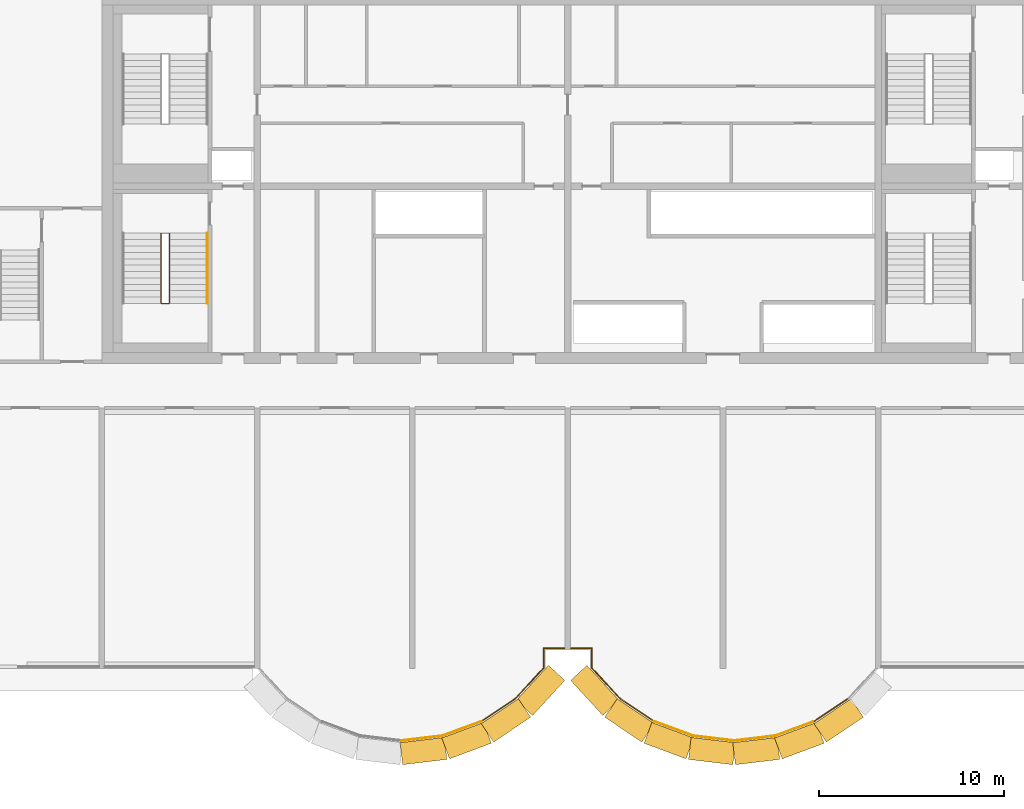
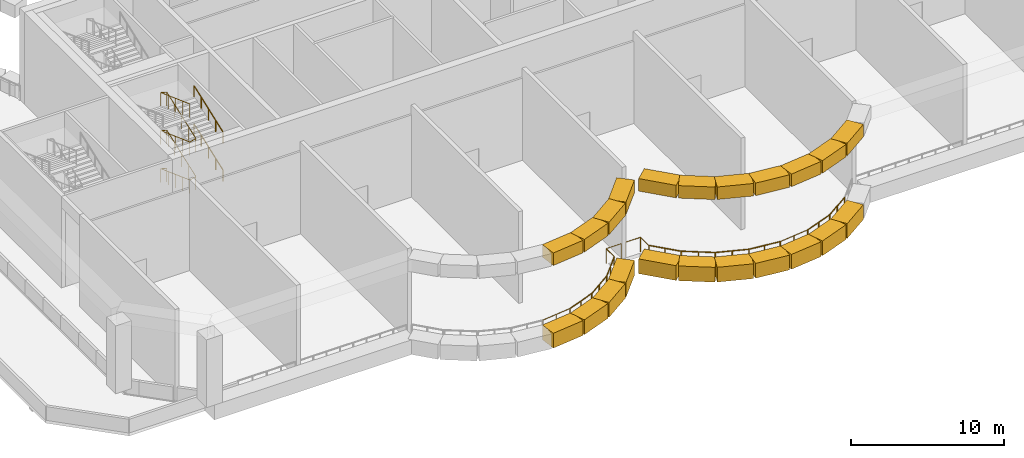
# One storey, part 8 of 11: 22 coverings, 16 railings.
"""IFC4 building model written with IfcOpenShell, lengths in metres."""

from ifc_helpers import new_model, si_unit, direction, frame, origin, origin_2d, place, context, subcontext, project, spatial, rectangle, circle, extrude, source, transform, mapped, material, type_object, element, save


model = new_model("IFC4")

# Units and contexts
model_context = context("Model", 3, precision=1e-05, world=origin(), true_north=direction((0.0, 1.0)))
body_context = subcontext(model_context, "Body", "Model", "MODEL_VIEW")
ifc_project = project(units=[si_unit("LENGTHUNIT", "METRE"), si_unit("AREAUNIT", "SQUARE_METRE"), si_unit("VOLUMEUNIT", "CUBIC_METRE"), si_unit("PLANEANGLEUNIT", "RADIAN"), si_unit("MASSUNIT", "GRAM", prefix="KILO")], contexts=[model_context])

# Site, building, storey
site_placement = place(None, origin())
site = spatial("IfcSite", under=ifc_project, at=site_placement, CompositionType="ELEMENT")
building_placement = place(site_placement, origin())
building = spatial("IfcBuilding", under=site, at=building_placement, Name="Vanashikhar Sky Hotel", CompositionType="ELEMENT")
storey_placement = place(building_placement, frame((0.0, 0.0, 206.39990234375)))
storey = spatial("IfcBuildingStorey", under=building, at=storey_placement, Name="L50", CompositionType="ELEMENT", Elevation=206.39990234375)

# Railings
ifc_material_1 = material(Name="Stainless steel 316", Category="steel")
railing_type_1 = type_object("IfcRailingType", Name="Open edge guard 1200", PredefinedType="GUARDRAIL", material=ifc_material_1)
shared_shape_1 = source(origin(), body_context, "Body", "SweptSolid", [
    extrude(circle(Radius=0.02392578125, at=origin_2d()), frame((0.0, 0.0, 1.17578125), z_axis=(-1.0, 0.0, 0.0), x_axis=(0.0, -1.0, 0.0)), (0.0, 0.0, 1.0), 1.1298828125),
    extrude(circle(Radius=0.02392578125, at=origin_2d()), frame((-1.1298828125, 0.0, 1.17578125), z_axis=(0.0, -1.0, 0.0), x_axis=(1.0, 0.0, 0.0)), (0.0, 0.0, 1.0), 1.061279296875),
    extrude(circle(Radius=0.02392578125, at=origin_2d()), frame((-1.1298828125, -1.061279296875, 1.17578125), z_axis=(-0.678280102733, -0.734803444627, 0.0), x_axis=(0.734803444627, -0.678280102733, 0.0)), (0.0, 0.0, 1.0), 0.03466796875),
    extrude(circle(Radius=0.02099609375, at=origin_2d()), origin(), (0.0, 0.0, 1.0), 1.15185546875),
    extrude(circle(Radius=0.02099609375, at=origin_2d()), frame((-1.1298828125, 0.0, 0.0)), (0.0, 0.0, 1.0), 1.15185546875),
    extrude(circle(Radius=0.02099609375, at=origin_2d()), frame((-1.1298828125, -1.061279296875, 0.0)), (0.0, 0.0, 1.0), 1.15185546875),
    extrude(circle(Radius=0.02099609375, at=origin_2d()), frame((-1.1533203125, -1.086669921875, 0.0)), (0.0, 0.0, 1.0), 1.15185546875),
])
railing_1_placement = place(storey_placement, frame((50.22998046875, 6.60009765625, 0.0)))
element("IfcRailing", 1, at=railing_1_placement, inside=storey, type_object=railing_type_1, Name="Open edge guard", PredefinedType="GUARDRAIL", context=body_context, shape_type="MappedRepresentation", body=[
    mapped(shared_shape_1, transform((0.0, 0.0, 0.0), scale=1.0)),
])
shared_shape_2 = source(origin(), body_context, "Body", "SweptSolid", [
    extrude(circle(Radius=0.02392578125, at=origin_2d()), frame((0.0, 0.0, 1.17578125), z_axis=(-0.675355108837, -0.737492696213, 0.0), x_axis=(0.737492696213, -0.675355108837, 0.0)), (0.0, 0.0, 1.0), 2.1845703125),
    extrude(circle(Radius=0.02392578125, at=origin_2d()), frame((-1.475341796875, -1.611083984375, 1.17578125), z_axis=(-0.828364750125, -0.560189111595, 0.0), x_axis=(0.560189111595, -0.828364750125, 0.0)), (0.0, 0.0, 1.0), 0.041015625),
    extrude(circle(Radius=0.02099609375, at=origin_2d()), origin(), (0.0, 0.0, 1.0), 1.15185546875),
    extrude(circle(Radius=0.02099609375, at=origin_2d()), frame((-0.73779296875, -0.8056640625, 0.0)), (0.0, 0.0, 1.0), 1.15185546875),
    extrude(circle(Radius=0.02099609375, at=origin_2d()), frame((-1.475341796875, -1.611083984375, 0.0)), (0.0, 0.0, 1.0), 1.15185546875),
    extrude(circle(Radius=0.02099609375, at=origin_2d()), frame((-1.50927734375, -1.634033203125, 0.0)), (0.0, 0.0, 1.0), 1.15185546875),
])
railing_2_placement = place(storey_placement, frame((49.07666015625, 5.513427734375, 0.0)))
element("IfcRailing", 2, at=railing_2_placement, inside=storey, type_object=railing_type_1, Name="Open edge guard", PredefinedType="GUARDRAIL", context=body_context, shape_type="MappedRepresentation", body=[
    mapped(shared_shape_2, transform((0.0, 0.0, 0.0), scale=1.0)),
])
shared_shape_3 = source(origin(), body_context, "Body", "SweptSolid", [
    extrude(circle(Radius=0.02392578125, at=origin_2d()), frame((0.0, 0.0, 1.17578125), z_axis=(-0.829641962759, -0.55829581194, 0.0), x_axis=(0.55829581194, -0.829641962759, 0.0)), (0.0, 0.0, 1.0), 2.2060546875),
    extrude(circle(Radius=0.02392578125, at=origin_2d()), frame((-1.830322265625, -1.231689453125, 1.17578125), z_axis=(-0.936841514727, -0.349754165498, 0.0), x_axis=(0.349754165498, -0.936841514727, 0.0)), (0.0, 0.0, 1.0), 0.01953125),
    extrude(circle(Radius=0.02099609375, at=origin_2d()), origin(), (0.0, 0.0, 1.0), 1.15185546875),
    extrude(circle(Radius=0.02099609375, at=origin_2d()), frame((-0.9150390625, -0.61572265625, 0.0)), (0.0, 0.0, 1.0), 1.15185546875),
    extrude(circle(Radius=0.02099609375, at=origin_2d()), frame((-1.830322265625, -1.231689453125, 0.0)), (0.0, 0.0, 1.0), 1.15185546875),
    extrude(circle(Radius=0.02099609375, at=origin_2d()), frame((-1.8486328125, -1.238525390625, 0.0)), (0.0, 0.0, 1.0), 1.15185546875),
])
railing_3_placement = place(storey_placement, frame((47.5673828125, 3.87939453125, 0.0)))
element("IfcRailing", 3, at=railing_3_placement, inside=storey, type_object=railing_type_1, Name="Open edge guard", PredefinedType="GUARDRAIL", context=body_context, shape_type="MappedRepresentation", body=[
    mapped(shared_shape_3, transform((0.0, 0.0, 0.0), scale=1.0)),
])
shared_shape_4 = source(origin(), body_context, "Body", "SweptSolid", [
    extrude(circle(Radius=0.02392578125, at=origin_2d()), frame((0.0, 0.0, 1.17578125), z_axis=(-0.937554102092, -0.347839482594, 0.0), x_axis=(0.347839482594, -0.937554102092, 0.0)), (0.0, 0.0, 1.0), 2.2255859375),
    extrude(circle(Radius=0.02099609375, at=origin_2d()), origin(), (0.0, 0.0, 1.0), 1.15185546875),
    extrude(circle(Radius=0.02099609375, at=origin_2d()), frame((-1.04345703125, -0.38720703125, 0.0)), (0.0, 0.0, 1.0), 1.15185546875),
    extrude(circle(Radius=0.02099609375, at=origin_2d()), frame((-2.086669921875, -0.774169921875, 0.0)), (0.0, 0.0, 1.0), 1.15185546875),
])
railing_4_placement = place(storey_placement, frame((45.71875, 2.640869140625, 0.0)))
element("IfcRailing", 4, at=railing_4_placement, inside=storey, type_object=railing_type_1, Name="Open edge guard", PredefinedType="GUARDRAIL", context=body_context, shape_type="MappedRepresentation", body=[
    mapped(shared_shape_4, transform((0.0, 0.0, 0.0), scale=1.0)),
])
shared_shape_5 = source(origin(), body_context, "Body", "SweptSolid", [
    extrude(circle(Radius=0.02392578125, at=origin_2d()), frame((0.0, 0.0, 1.17578125), z_axis=(-0.919145030018, -0.393919298579, 0.0), x_axis=(0.393919298579, -0.919145030018, 0.0)), (0.0, 0.0, 1.0), 0.001953125),
    extrude(circle(Radius=0.02392578125, at=origin_2d()), frame((-0.001708984375, -0.000732421875, 1.17578125), z_axis=(-0.993009738611, -0.118032449028, 0.0), x_axis=(0.118032449028, -0.993009738611, 0.0)), (0.0, 0.0, 1.0), 2.2236328125),
    extrude(circle(Radius=0.02099609375, at=origin_2d()), origin(), (0.0, 0.0, 1.0), 1.15185546875),
    extrude(circle(Radius=0.02099609375, at=origin_2d()), frame((-0.001708984375, -0.000732421875, 0.0)), (0.0, 0.0, 1.0), 1.15185546875),
    extrude(circle(Radius=0.02099609375, at=origin_2d()), frame((-1.105712890625, -0.1318359375, 0.0)), (0.0, 0.0, 1.0), 1.15185546875),
    extrude(circle(Radius=0.02099609375, at=origin_2d()), frame((-2.209716796875, -0.26318359375, 0.0)), (0.0, 0.0, 1.0), 1.15185546875),
])
railing_5_placement = place(storey_placement, frame((43.632080078125, 1.86669921875, 0.0)))
element("IfcRailing", 5, at=railing_5_placement, inside=storey, type_object=railing_type_1, Name="Open edge guard", PredefinedType="GUARDRAIL", context=body_context, shape_type="MappedRepresentation", body=[
    mapped(shared_shape_5, transform((0.0, 0.0, 0.0), scale=1.0)),
])
shared_shape_6 = source(origin(), body_context, "Body", "SweptSolid", [
    extrude(circle(Radius=0.02392578125, at=origin_2d()), frame((0.0, 0.0, 1.17578125), z_axis=(-0.829591772708, -0.558370388412, 0.0), x_axis=(0.558370388412, -0.829591772708, 0.0)), (0.0, 0.0, 1.0), 2.161376953125),
    extrude(circle(Radius=0.02392578125, at=origin_2d()), frame((-1.79296875, -1.206787109375, 1.17578125), z_axis=(-0.93710644919, -0.349043697674, 0.0), x_axis=(0.349043697674, -0.93710644919, 0.0)), (0.0, 0.0, 1.0), 0.064453125),
    extrude(circle(Radius=0.02099609375, at=origin_2d()), origin(), (0.0, 0.0, 1.0), 1.15185546875),
    extrude(circle(Radius=0.02099609375, at=origin_2d()), frame((-0.896484375, -0.603515625, 0.0)), (0.0, 0.0, 1.0), 1.15185546875),
    extrude(circle(Radius=0.02099609375, at=origin_2d()), frame((-1.79296875, -1.206787109375, 0.0)), (0.0, 0.0, 1.0), 1.15185546875),
    extrude(circle(Radius=0.02099609375, at=origin_2d()), frame((-1.853271484375, -1.229248046875, 0.0)), (0.0, 0.0, 1.0), 1.15185546875),
])
railing_6_placement = place(storey_placement, frame((65.530029296875, 3.8544921875, 0.0)))
element("IfcRailing", 6, at=railing_6_placement, inside=storey, type_object=railing_type_1, Name="Open edge guard", PredefinedType="GUARDRAIL", context=body_context, shape_type="MappedRepresentation", body=[
    mapped(shared_shape_6, transform((0.0, 0.0, 0.0), scale=1.0)),
])
shared_shape_7 = source(origin(), body_context, "Body", "SweptSolid", [
    extrude(circle(Radius=0.02392578125, at=origin_2d()), frame((0.0, 0.0, 1.17578125), z_axis=(-0.937546214911, -0.347860740679, 0.0), x_axis=(0.347860740679, -0.937546214911, 0.0)), (0.0, 0.0, 1.0), 2.1826171875),
    extrude(circle(Radius=0.02392578125, at=origin_2d()), frame((-2.04638671875, -0.75927734375, 1.17578125), z_axis=(-0.99279561301, -0.119820160191, 0.0), x_axis=(0.119820160191, -0.99279561301, 0.0)), (0.0, 0.0, 1.0), 0.042724609375),
    extrude(circle(Radius=0.02099609375, at=origin_2d()), origin(), (0.0, 0.0, 1.0), 1.15185546875),
    extrude(circle(Radius=0.02099609375, at=origin_2d()), frame((-1.023193359375, -0.379638671875, 0.0)), (0.0, 0.0, 1.0), 1.15185546875),
    extrude(circle(Radius=0.02099609375, at=origin_2d()), frame((-2.04638671875, -0.75927734375, 0.0)), (0.0, 0.0, 1.0), 1.15185546875),
    extrude(circle(Radius=0.02099609375, at=origin_2d()), frame((-2.0888671875, -0.764404296875, 0.0)), (0.0, 0.0, 1.0), 1.15185546875),
])
railing_7_placement = place(storey_placement, frame((63.6767578125, 2.625244140625, 0.0)))
element("IfcRailing", 7, at=railing_7_placement, inside=storey, type_object=railing_type_1, Name="Open edge guard", PredefinedType="GUARDRAIL", context=body_context, shape_type="MappedRepresentation", body=[
    mapped(shared_shape_7, transform((0.0, 0.0, 0.0), scale=1.0)),
])
shared_shape_8 = source(origin(), body_context, "Body", "SweptSolid", [
    extrude(circle(Radius=0.02392578125, at=origin_2d()), frame((0.0, 0.0, 1.17578125), z_axis=(-0.993000036867, -0.11811404143, 0.0), x_axis=(0.11811404143, -0.993000036867, 0.0)), (0.0, 0.0, 1.0), 2.203369140625),
    extrude(circle(Radius=0.02392578125, at=origin_2d()), frame((-2.18798828125, -0.26025390625, 1.17578125), z_axis=(-0.991417173479, 0.130736330569, 0.0), x_axis=(-0.130736330569, -0.991417173479, 0.0)), (0.0, 0.0, 1.0), 0.0224609375),
    extrude(circle(Radius=0.02099609375, at=origin_2d()), origin(), (0.0, 0.0, 1.0), 1.15185546875),
    extrude(circle(Radius=0.02099609375, at=origin_2d()), frame((-1.093994140625, -0.130126953125, 0.0)), (0.0, 0.0, 1.0), 1.15185546875),
    extrude(circle(Radius=0.02099609375, at=origin_2d()), frame((-2.18798828125, -0.26025390625, 0.0)), (0.0, 0.0, 1.0), 1.15185546875),
    extrude(circle(Radius=0.02099609375, at=origin_2d()), frame((-2.210205078125, -0.25732421875, 0.0)), (0.0, 0.0, 1.0), 1.15185546875),
])
railing_8_placement = place(storey_placement, frame((61.587890625, 1.86083984375, 0.0)))
element("IfcRailing", 8, at=railing_8_placement, inside=storey, type_object=railing_type_1, Name="Open edge guard", PredefinedType="GUARDRAIL", context=body_context, shape_type="MappedRepresentation", body=[
    mapped(shared_shape_8, transform((0.0, 0.0, 0.0), scale=1.0)),
])
shared_shape_9 = source(origin(), body_context, "Body", "SweptSolid", [
    extrude(circle(Radius=0.02392578125, at=origin_2d()), frame((0.0, 0.0, 1.17578125), z_axis=(-0.993009738611, 0.118032449028, 0.0), x_axis=(-0.118032449028, -0.993009738611, 0.0)), (0.0, 0.0, 1.0), 2.2236328125),
    extrude(circle(Radius=0.02392578125, at=origin_2d()), frame((-2.2080078125, 0.262451171875, 1.17578125), z_axis=(-0.936329177569, 0.351123441588, 0.0), x_axis=(-0.351123441588, -0.936329177569, 0.0)), (0.0, 0.0, 1.0), 0.002197265625),
    extrude(circle(Radius=0.02099609375, at=origin_2d()), origin(), (0.0, 0.0, 1.0), 1.15185546875),
    extrude(circle(Radius=0.02099609375, at=origin_2d()), frame((-1.10400390625, 0.13134765625, 0.0)), (0.0, 0.0, 1.0), 1.15185546875),
    extrude(circle(Radius=0.02099609375, at=origin_2d()), frame((-2.2080078125, 0.262451171875, 0.0)), (0.0, 0.0, 1.0), 1.15185546875),
    extrude(circle(Radius=0.02099609375, at=origin_2d()), frame((-2.2099609375, 0.26318359375, 0.0)), (0.0, 0.0, 1.0), 1.15185546875),
])
railing_9_placement = place(storey_placement, frame((59.377685546875, 1.603515625, 0.0)))
element("IfcRailing", 9, at=railing_9_placement, inside=storey, type_object=railing_type_1, Name="Open edge guard", PredefinedType="GUARDRAIL", context=body_context, shape_type="MappedRepresentation", body=[
    mapped(shared_shape_9, transform((0.0, 0.0, 0.0), scale=1.0)),
])
shared_shape_10 = source(origin(), body_context, "Body", "SweptSolid", [
    extrude(circle(Radius=0.02392578125, at=origin_2d()), frame((0.0, 0.0, 1.17578125), z_axis=(-0.937540827921, 0.347875259225, 0.0), x_axis=(-0.347875259225, -0.937540827921, 0.0)), (0.0, 0.0, 1.0), 2.225341796875),
    extrude(circle(Radius=0.02099609375, at=origin_2d()), origin(), (0.0, 0.0, 1.0), 1.15185546875),
    extrude(circle(Radius=0.02099609375, at=origin_2d()), frame((-1.043212890625, 0.38720703125, 0.0)), (0.0, 0.0, 1.0), 1.15185546875),
    extrude(circle(Radius=0.02099609375, at=origin_2d()), frame((-2.08642578125, 0.774169921875, 0.0)), (0.0, 0.0, 1.0), 1.15185546875),
])
railing_10_placement = place(storey_placement, frame((57.167724609375, 1.86669921875, 0.0)))
element("IfcRailing", 10, at=railing_10_placement, inside=storey, type_object=railing_type_1, Name="Open edge guard", PredefinedType="GUARDRAIL", context=body_context, shape_type="MappedRepresentation", body=[
    mapped(shared_shape_10, transform((0.0, 0.0, 0.0), scale=1.0)),
])
shared_shape_11 = source(origin(), body_context, "Body", "SweptSolid", [
    extrude(circle(Radius=0.02392578125, at=origin_2d()), frame((0.0, 0.0, 1.17578125), z_axis=(-0.936841514727, 0.349754165498, 0.0), x_axis=(-0.349754165498, -0.936841514727, 0.0)), (0.0, 0.0, 1.0), 0.01953125),
    extrude(circle(Radius=0.02392578125, at=origin_2d()), frame((-0.018310546875, 0.0068359375, 1.17578125), z_axis=(-0.829641962759, 0.55829581194, 0.0), x_axis=(-0.55829581194, -0.829641962759, 0.0)), (0.0, 0.0, 1.0), 2.2060546875),
    extrude(circle(Radius=0.02099609375, at=origin_2d()), origin(), (0.0, 0.0, 1.0), 1.15185546875),
    extrude(circle(Radius=0.02099609375, at=origin_2d()), frame((-0.018310546875, 0.0068359375, 0.0)), (0.0, 0.0, 1.0), 1.15185546875),
    extrude(circle(Radius=0.02099609375, at=origin_2d()), frame((-0.93359375, 0.62255859375, 0.0)), (0.0, 0.0, 1.0), 1.15185546875),
    extrude(circle(Radius=0.02099609375, at=origin_2d()), frame((-1.8486328125, 1.238525390625, 0.0)), (0.0, 0.0, 1.0), 1.15185546875),
])
railing_11_placement = place(storey_placement, frame((55.081298828125, 2.640869140625, 0.0)))
element("IfcRailing", 11, at=railing_11_placement, inside=storey, type_object=railing_type_1, Name="Open edge guard", PredefinedType="GUARDRAIL", context=body_context, shape_type="MappedRepresentation", body=[
    mapped(shared_shape_11, transform((0.0, 0.0, 0.0), scale=1.0)),
])
shared_shape_12 = source(origin(), body_context, "Body", "SweptSolid", [
    extrude(circle(Radius=0.02392578125, at=origin_2d()), frame((0.0, 0.0, 1.17578125), z_axis=(-0.828364750125, 0.560189111595, 0.0), x_axis=(-0.560189111595, -0.828364750125, 0.0)), (0.0, 0.0, 1.0), 0.041015625),
    extrude(circle(Radius=0.02392578125, at=origin_2d()), frame((-0.033935546875, 0.02294921875, 1.17578125), z_axis=(-0.675355108837, 0.737492696213, 0.0), x_axis=(-0.737492696213, -0.675355108837, 0.0)), (0.0, 0.0, 1.0), 2.1845703125),
    extrude(circle(Radius=0.02099609375, at=origin_2d()), origin(), (0.0, 0.0, 1.0), 1.15185546875),
    extrude(circle(Radius=0.02099609375, at=origin_2d()), frame((-0.033935546875, 0.02294921875, 0.0)), (0.0, 0.0, 1.0), 1.15185546875),
    extrude(circle(Radius=0.02099609375, at=origin_2d()), frame((-0.771484375, 0.82861328125, 0.0)), (0.0, 0.0, 1.0), 1.15185546875),
    extrude(circle(Radius=0.02099609375, at=origin_2d()), frame((-1.50927734375, 1.634033203125, 0.0)), (0.0, 0.0, 1.0), 1.15185546875),
])
railing_12_placement = place(storey_placement, frame((53.232666015625, 3.87939453125, 0.0)))
element("IfcRailing", 12, at=railing_12_placement, inside=storey, type_object=railing_type_1, Name="Open edge guard", PredefinedType="GUARDRAIL", context=body_context, shape_type="MappedRepresentation", body=[
    mapped(shared_shape_12, transform((0.0, 0.0, 0.0), scale=1.0)),
])
shared_shape_13 = source(origin(), body_context, "Body", "SweptSolid", [
    extrude(circle(Radius=0.02392578125, at=origin_2d()), frame((0.0, 0.0, 1.17578125), z_axis=(-0.678280102733, 0.734803444627, 0.0), x_axis=(-0.734803444627, -0.678280102733, 0.0)), (0.0, 0.0, 1.0), 0.03466796875),
    extrude(circle(Radius=0.02392578125, at=origin_2d()), frame((-0.0234375, 0.025390625, 1.17578125), z_axis=(0.0, 1.0, 0.0), x_axis=(-1.0, 0.0, 0.0)), (0.0, 0.0, 1.0), 1.061279296875),
    extrude(circle(Radius=0.02392578125, at=origin_2d()), frame((-0.0234375, 1.086669921875, 1.17578125), z_axis=(-1.0, 0.0, 0.0), x_axis=(0.0, -1.0, 0.0)), (0.0, 0.0, 1.0), 1.1298828125),
    extrude(circle(Radius=0.02099609375, at=origin_2d()), origin(), (0.0, 0.0, 1.0), 1.15185546875),
    extrude(circle(Radius=0.02099609375, at=origin_2d()), frame((-0.0234375, 0.025390625, 0.0)), (0.0, 0.0, 1.0), 1.15185546875),
    extrude(circle(Radius=0.02099609375, at=origin_2d()), frame((-0.0234375, 1.086669921875, 0.0)), (0.0, 0.0, 1.0), 1.15185546875),
    extrude(circle(Radius=0.02099609375, at=origin_2d()), frame((-1.1533203125, 1.086669921875, 0.0)), (0.0, 0.0, 1.0), 1.15185546875),
])
railing_13_placement = place(storey_placement, frame((51.723388671875, 5.513427734375, 0.0)))
element("IfcRailing", 13, at=railing_13_placement, inside=storey, type_object=railing_type_1, Name="Open edge guard", PredefinedType="GUARDRAIL", context=body_context, shape_type="MappedRepresentation", body=[
    mapped(shared_shape_13, transform((0.0, 0.0, 0.0), scale=1.0)),
])

# Coverings
ifc_material_2 = material(Name="Concrete M60 dark", Category="concrete")
covering_type = type_object("IfcCoveringType", Name="Wind floor portal frame", PredefinedType="CLADDING", material=ifc_material_2)
shared_shape_14 = source(origin(), body_context, "Body", "SweptSolid", [
    extrude(rectangle(XDim=2.413818359375, YDim=1.199951171875, at=origin_2d()), origin(), (0.0, 0.0, 1.0), 1.0),
])
for number, where, z_axis, x_axis, name in (
    (14, (44.92724609375, 1.6005859375, 6.320068359375), (0.0, 0.0, 1.0), (0.937531182424, 0.347901253208, 0.0), "Portal frame head"),
    (15, (47.06005859375, 2.694091796875, 6.320068359375), (0.0, 0.0, 1.0), (0.829603213612, 0.558353389857, 0.0), "Portal frame head"),
    (16, (53.739990234375, 2.694091796875, 6.320068359375), (0.0, 0.0, 1.0), (0.829603213612, -0.558353389857, 0.0), "Portal frame head"),
    (17, (55.872802734375, 1.6005859375, 6.320068359375), (0.0, 0.0, 1.0), (0.937531182424, -0.347901253208, 0.0), "Portal frame head"),
    (18, (62.92724609375, 1.6005859375, 6.320068359375), (0.0, 0.0, 1.0), (0.937531182424, 0.347901253208, 0.0), "Portal frame head"),
    (19, (65.06005859375, 2.694091796875, 6.320068359375), (0.0, 0.0, 1.0), (0.829603213612, 0.558353389857, 0.0), "Portal frame head"),
):
    element("IfcCovering", number, at=place(storey_placement, frame(where, z_axis=z_axis, x_axis=x_axis)), inside=storey, type_object=covering_type, Name=name, PredefinedType="CLADDING", context=body_context, shape_type="MappedRepresentation", body=[
        mapped(shared_shape_14, transform((0.0, 0.0, 0.0), scale=1.0)),
    ])
shared_shape_15 = source(origin(), body_context, "Body", "SweptSolid", [
    extrude(rectangle(XDim=2.413818359375, YDim=1.199951171875, at=origin_2d()), origin(), (0.0, 0.0, 1.0), 1.179931640625),
])
for number, where, z_axis, x_axis, name in (
    (20, (44.92724609375, 1.6005859375, -0.27978515625), (0.0, 0.0, 1.0), (0.937531182424, 0.347901253208, 0.0), "Portal frame sill"),
    (21, (47.06005859375, 2.694091796875, -0.27978515625), (0.0, 0.0, 1.0), (0.829603213612, 0.558353389857, 0.0), "Portal frame sill"),
    (22, (53.739990234375, 2.694091796875, -0.27978515625), (0.0, 0.0, 1.0), (0.829603213612, -0.558353389857, 0.0), "Portal frame sill"),
    (23, (55.872802734375, 1.6005859375, -0.27978515625), (0.0, 0.0, 1.0), (0.937531182424, -0.347901253208, 0.0), "Portal frame sill"),
    (24, (62.92724609375, 1.6005859375, -0.27978515625), (0.0, 0.0, 1.0), (0.937531182424, 0.347901253208, 0.0), "Portal frame sill"),
    (25, (65.06005859375, 2.694091796875, -0.27978515625), (0.0, 0.0, 1.0), (0.829603213612, 0.558353389857, 0.0), "Portal frame sill"),
):
    element("IfcCovering", number, at=place(storey_placement, frame(where, z_axis=z_axis, x_axis=x_axis)), inside=storey, type_object=covering_type, Name=name, PredefinedType="CLADDING", context=body_context, shape_type="MappedRepresentation", body=[
        mapped(shared_shape_15, transform((0.0, 0.0, 0.0), scale=1.0)),
    ])
shared_shape_16 = source(origin(), body_context, "Body", "SweptSolid", [
    extrude(rectangle(XDim=2.41259765625, YDim=1.199951171875, at=origin_2d()), origin(), (0.0, 0.0, 1.0), 1.0),
])
for number, where, z_axis, x_axis, name in (
    (26, (42.597900390625, 1.0380859375, 6.320068359375), (0.0, 0.0, 1.0), (0.993008838731, 0.118040019495, 0.0), "Portal frame head"),
    (27, (58.2021484375, 1.0380859375, 6.320068359375), (0.0, 0.0, 1.0), (0.993008838731, -0.118040019495, 0.0), "Portal frame head"),
    (28, (60.597900390625, 1.0380859375, 6.320068359375), (0.0, 0.0, 1.0), (0.993008838731, 0.118040019495, 0.0), "Portal frame head"),
):
    element("IfcCovering", number, at=place(storey_placement, frame(where, z_axis=z_axis, x_axis=x_axis)), inside=storey, type_object=covering_type, Name=name, PredefinedType="CLADDING", context=body_context, shape_type="MappedRepresentation", body=[
        mapped(shared_shape_16, transform((0.0, 0.0, 0.0), scale=1.0)),
    ])
shared_shape_17 = source(origin(), body_context, "Body", "SweptSolid", [
    extrude(rectangle(XDim=2.41259765625, YDim=1.199951171875, at=origin_2d()), origin(), (0.0, 0.0, 1.0), 1.179931640625),
])
for number, where, z_axis, x_axis, name in (
    (29, (42.597900390625, 1.0380859375, -0.27978515625), (0.0, 0.0, 1.0), (0.993008838731, 0.118040019495, 0.0), "Portal frame sill"),
    (30, (58.2021484375, 1.0380859375, -0.27978515625), (0.0, 0.0, 1.0), (0.993008838731, -0.118040019495, 0.0), "Portal frame sill"),
    (31, (60.597900390625, 1.0380859375, -0.27978515625), (0.0, 0.0, 1.0), (0.993008838731, 0.118040019495, 0.0), "Portal frame sill"),
):
    element("IfcCovering", number, at=place(storey_placement, frame(where, z_axis=z_axis, x_axis=x_axis)), inside=storey, type_object=covering_type, Name=name, PredefinedType="CLADDING", context=body_context, shape_type="MappedRepresentation", body=[
        mapped(shared_shape_17, transform((0.0, 0.0, 0.0), scale=1.0)),
    ])
shared_shape_18 = source(origin(), body_context, "Body", "SweptSolid", [
    extrude(rectangle(XDim=2.574462890625, YDim=1.199951171875, at=origin_2d()), origin(), (0.0, 0.0, 1.0), 1.0),
])
for number, where, z_axis, x_axis, name in (
    (32, (48.9306640625, 4.3173828125, 6.320068359375), (0.0, 0.0, 1.0), (0.67534568005, 0.737501330465, 0.0), "Portal frame head"),
    (33, (51.869384765625, 4.3173828125, 6.320068359375), (0.0, 0.0, 1.0), (0.67534568005, -0.737501330465, 0.0), "Portal frame head"),
):
    element("IfcCovering", number, at=place(storey_placement, frame(where, z_axis=z_axis, x_axis=x_axis)), inside=storey, type_object=covering_type, Name=name, PredefinedType="CLADDING", context=body_context, shape_type="MappedRepresentation", body=[
        mapped(shared_shape_18, transform((0.0, 0.0, 0.0), scale=1.0)),
    ])
shared_shape_19 = source(origin(), body_context, "Body", "SweptSolid", [
    extrude(rectangle(XDim=2.574462890625, YDim=1.199951171875, at=origin_2d()), origin(), (0.0, 0.0, 1.0), 1.179931640625),
])
for number, where, z_axis, x_axis, name in (
    (34, (48.9306640625, 4.3173828125, -0.27978515625), (0.0, 0.0, 1.0), (0.67534568005, 0.737501330465, 0.0), "Portal frame sill"),
    (35, (51.869384765625, 4.3173828125, -0.27978515625), (0.0, 0.0, 1.0), (0.67534568005, -0.737501330465, 0.0), "Portal frame sill"),
):
    element("IfcCovering", number, at=place(storey_placement, frame(where, z_axis=z_axis, x_axis=x_axis)), inside=storey, type_object=covering_type, Name=name, PredefinedType="CLADDING", context=body_context, shape_type="MappedRepresentation", body=[
        mapped(shared_shape_19, transform((0.0, 0.0, 0.0), scale=1.0)),
    ])

# Railings
ifc_material_3 = material(Name="Steel S355", Category="steel")
railing_type_2 = type_object("IfcRailingType", Name="Stair guard 1100", PredefinedType="GUARDRAIL", material=ifc_material_3)
shared_shape_20 = source(origin(), body_context, "Body", "SweptSolid", [
    extrude(circle(Radius=0.02392578125, at=origin_2d()), frame((0.0, 0.0, 1.076171875), z_axis=(-0.962599902366, 0.0, 0.270926979028), x_axis=(0.0, -1.0, 0.0)), (0.0, 0.0, 1.0), 0.4677734375),
    extrude(circle(Radius=0.02392578125, at=origin_2d()), frame((-0.4501953125, 0.0, 1.20263671875), z_axis=(0.0, -0.938879565204, 0.344245787255), x_axis=(1.0, 0.0, 0.0)), (0.0, 0.0, 1.0), 4.04736328125),
    extrude(circle(Radius=0.02392578125, at=origin_2d()), frame((-0.4501953125, -3.800048828125, 2.59619140625), z_axis=(0.962599902366, 0.0, 0.270926979028), x_axis=(0.0, 1.0, 0.0)), (0.0, 0.0, 1.0), 0.4677734375),
    extrude(circle(Radius=0.02392578125, at=origin_2d()), frame((0.0, -3.800048828125, 2.72265625), z_axis=(0.0, 0.938879565204, 0.344245787255), x_axis=(-1.0, 0.0, 0.0)), (0.0, 0.0, 1.0), 4.04736328125),
    extrude(circle(Radius=0.02392578125, at=origin_2d()), frame((0.0, 0.0, 4.1162109375), z_axis=(-0.962599902366, 0.0, 0.270926979028), x_axis=(0.0, -1.0, 0.0)), (0.0, 0.0, 1.0), 0.4677734375),
    extrude(circle(Radius=0.02392578125, at=origin_2d()), frame((-0.4501953125, 0.0, 4.24267578125), z_axis=(0.0, -0.938879565204, 0.344245787255), x_axis=(1.0, 0.0, 0.0)), (0.0, 0.0, 1.0), 4.04736328125),
    extrude(circle(Radius=0.02392578125, at=origin_2d()), frame((-0.4501953125, -3.800048828125, 5.63623046875), z_axis=(0.962599902366, 0.0, 0.270926979028), x_axis=(0.0, 1.0, 0.0)), (0.0, 0.0, 1.0), 0.4677734375),
    extrude(circle(Radius=0.02392578125, at=origin_2d()), frame((0.0, -3.800048828125, 5.7626953125), z_axis=(0.0, 0.938879565204, 0.344245787255), x_axis=(-1.0, 0.0, 0.0)), (0.0, 0.0, 1.0), 4.04736328125),
    extrude(circle(Radius=0.02392578125, at=origin_2d()), frame((0.0, 0.0, 7.15625), z_axis=(-0.962599902366, 0.0, 0.270926979028), x_axis=(0.0, -1.0, 0.0)), (0.0, 0.0, 1.0), 0.4677734375),
    extrude(circle(Radius=0.02392578125, at=origin_2d()), frame((-0.4501953125, 0.0, 7.28271484375), z_axis=(0.0, -0.938879565204, 0.344245787255), x_axis=(1.0, 0.0, 0.0)), (0.0, 0.0, 1.0), 4.04736328125),
    extrude(circle(Radius=0.02099609375, at=origin_2d()), origin(), (0.0, 0.0, 1.0), 1.052001953125),
    extrude(circle(Radius=0.02099609375, at=origin_2d()), frame((-0.4501953125, 0.0, 0.126708984375)), (0.0, 0.0, 1.0), 1.052001953125),
    extrude(circle(Radius=0.02099609375, at=origin_2d()), frame((-0.4501953125, -0.949951171875, 0.47509765625)), (0.0, 0.0, 1.0), 1.052001953125),
    extrude(circle(Radius=0.02099609375, at=origin_2d()), frame((-0.4501953125, -1.89990234375, 0.8232421875)), (0.0, 0.0, 1.0), 1.052001953125),
    extrude(circle(Radius=0.02099609375, at=origin_2d()), frame((-0.4501953125, -2.85009765625, 1.171630859375)), (0.0, 0.0, 1.0), 1.052001953125),
    extrude(circle(Radius=0.02099609375, at=origin_2d()), frame((-0.4501953125, -3.800048828125, 1.52001953125)), (0.0, 0.0, 1.0), 1.052001953125),
    extrude(circle(Radius=0.02099609375, at=origin_2d()), frame((0.0, -3.800048828125, 1.646728515625)), (0.0, 0.0, 1.0), 1.052001953125),
    extrude(circle(Radius=0.02099609375, at=origin_2d()), frame((0.0, -2.85009765625, 1.9951171875)), (0.0, 0.0, 1.0), 1.052001953125),
    extrude(circle(Radius=0.02099609375, at=origin_2d()), frame((0.0, -1.89990234375, 2.34326171875)), (0.0, 0.0, 1.0), 1.052001953125),
    extrude(circle(Radius=0.02099609375, at=origin_2d()), frame((0.0, -0.949951171875, 2.691650390625)), (0.0, 0.0, 1.0), 1.052001953125),
    extrude(circle(Radius=0.02099609375, at=origin_2d()), frame((0.0, 0.0, 3.0400390625)), (0.0, 0.0, 1.0), 1.052001953125),
    extrude(circle(Radius=0.02099609375, at=origin_2d()), frame((-0.4501953125, 0.0, 3.166748046875)), (0.0, 0.0, 1.0), 1.052001953125),
    extrude(circle(Radius=0.02099609375, at=origin_2d()), frame((-0.4501953125, -0.949951171875, 3.51513671875)), (0.0, 0.0, 1.0), 1.052001953125),
    extrude(circle(Radius=0.02099609375, at=origin_2d()), frame((-0.4501953125, -1.89990234375, 3.86328125)), (0.0, 0.0, 1.0), 1.052001953125),
    extrude(circle(Radius=0.02099609375, at=origin_2d()), frame((-0.4501953125, -2.85009765625, 4.211669921875)), (0.0, 0.0, 1.0), 1.052001953125),
    extrude(circle(Radius=0.02099609375, at=origin_2d()), frame((-0.4501953125, -3.800048828125, 4.56005859375)), (0.0, 0.0, 1.0), 1.052001953125),
    extrude(circle(Radius=0.02099609375, at=origin_2d()), frame((0.0, -3.800048828125, 4.686767578125)), (0.0, 0.0, 1.0), 1.052001953125),
    extrude(circle(Radius=0.02099609375, at=origin_2d()), frame((0.0, -2.85009765625, 5.03515625)), (0.0, 0.0, 1.0), 1.052001953125),
    extrude(circle(Radius=0.02099609375, at=origin_2d()), frame((0.0, -1.89990234375, 5.38330078125)), (0.0, 0.0, 1.0), 1.052001953125),
    extrude(circle(Radius=0.02099609375, at=origin_2d()), frame((0.0, -0.949951171875, 5.731689453125)), (0.0, 0.0, 1.0), 1.052001953125),
    extrude(circle(Radius=0.02099609375, at=origin_2d()), frame((0.0, 0.0, 6.080078125)), (0.0, 0.0, 1.0), 1.052001953125),
    extrude(circle(Radius=0.02099609375, at=origin_2d()), frame((-0.4501953125, 0.0, 6.206787109375)), (0.0, 0.0, 1.0), 1.052001953125),
    extrude(circle(Radius=0.02099609375, at=origin_2d()), frame((-0.4501953125, -0.949951171875, 6.55517578125)), (0.0, 0.0, 1.0), 1.052001953125),
    extrude(circle(Radius=0.02099609375, at=origin_2d()), frame((-0.4501953125, -1.89990234375, 6.9033203125)), (0.0, 0.0, 1.0), 1.052001953125),
    extrude(circle(Radius=0.02099609375, at=origin_2d()), frame((-0.4501953125, -2.85009765625, 7.251708984375)), (0.0, 0.0, 1.0), 1.052001953125),
    extrude(circle(Radius=0.02099609375, at=origin_2d()), frame((-0.4501953125, -3.800048828125, 7.60009765625)), (0.0, 0.0, 1.0), 1.052001953125),
])
railing_14_placement = place(storey_placement, frame((28.85009765625, 29.050048828125, 0.0)))
element("IfcRailing", 36, at=railing_14_placement, inside=storey, type_object=railing_type_2, Name="Exit stair 1 guard", PredefinedType="GUARDRAIL", context=body_context, shape_type="MappedRepresentation", body=[
    mapped(shared_shape_20, transform((0.0, 0.0, 0.0), scale=1.0)),
])
railing_type_3 = type_object("IfcRailingType", Name="Stair handrail 900", PredefinedType="HANDRAIL", material=ifc_material_3)
shared_shape_21 = source(origin(), body_context, "Body", "SweptSolid", [
    extrude(circle(Radius=0.02392578125, at=origin_2d()), frame((0.0, 0.0, 0.8759765625), z_axis=(0.0, 0.938879565204, 0.344245787255), x_axis=(-1.0, 0.0, 0.0)), (0.0, 0.0, 1.0), 4.04736328125),
    extrude(circle(Radius=0.02099609375, at=origin_2d()), origin(), (0.0, 0.0, 1.0), 0.851806640625),
    extrude(circle(Radius=0.02099609375, at=origin_2d()), frame((0.0, 0.949951171875, 0.348388671875)), (0.0, 0.0, 1.0), 0.851806640625),
    extrude(circle(Radius=0.02099609375, at=origin_2d()), frame((0.0, 1.89990234375, 0.69677734375)), (0.0, 0.0, 1.0), 0.851806640625),
    extrude(circle(Radius=0.02099609375, at=origin_2d()), frame((0.0, 2.85009765625, 1.044921875)), (0.0, 0.0, 1.0), 0.851806640625),
    extrude(circle(Radius=0.02099609375, at=origin_2d()), frame((0.0, 3.800048828125, 1.393310546875)), (0.0, 0.0, 1.0), 0.851806640625),
])
for number, where, name in (
    (37, (30.89990234375, 25.25, 1.646728515625), "Exit stair 1 handrail"),
    (38, (30.89990234375, 25.25, 4.686767578125), "Exit stair 1 handrail"),
):
    element("IfcRailing", number, at=place(storey_placement, frame(where)), inside=storey, type_object=railing_type_3, Name=name, PredefinedType="HANDRAIL", context=body_context, shape_type="MappedRepresentation", body=[
        mapped(shared_shape_21, transform((0.0, 0.0, 0.0), scale=1.0)),
    ])

save(model, "model.ifc")
